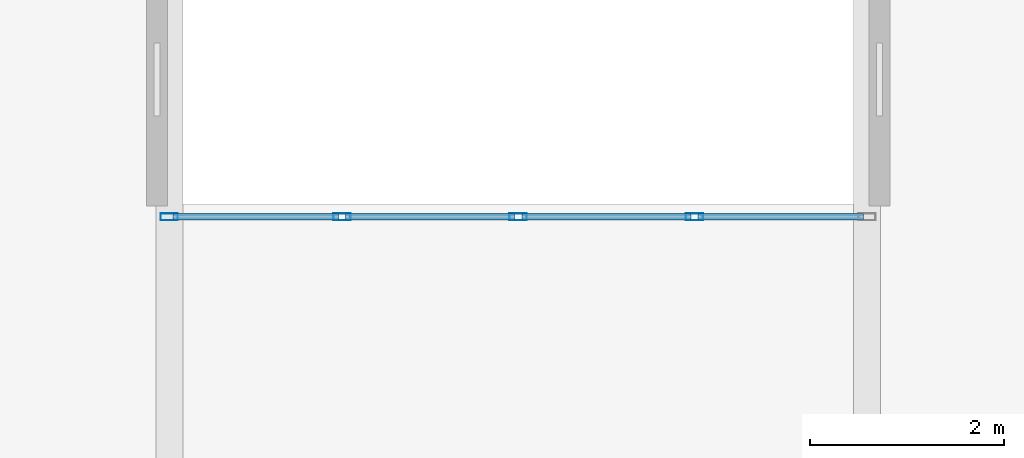
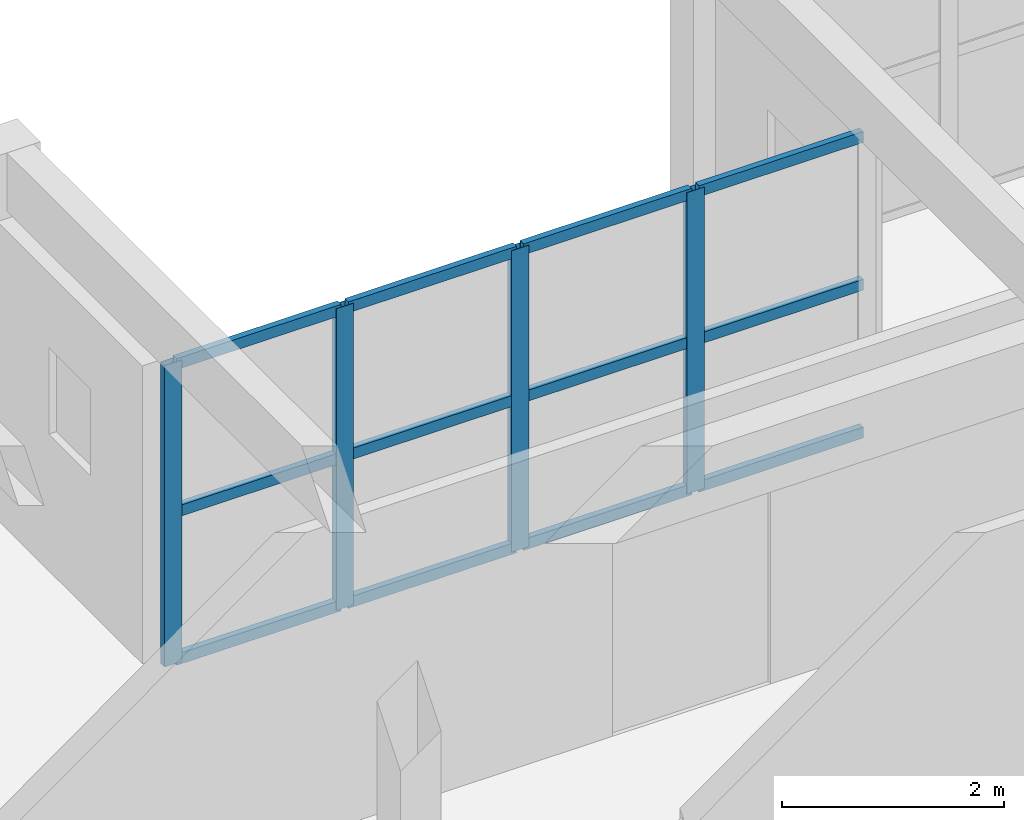
# One storey, part 28 of 68: 16 members, 1 element without a shape of its own.
"""IFC4 building model written with IfcOpenShell, lengths in metres."""

from ifc_helpers import new_model, si_unit, direction, frame, origin, origin_2d, place, context, subcontext, project, spatial, hollow_rectangle, extrude, material, material_profile, profile_set, type_object, element, aggregate, save


model = new_model("IFC4")

# Units and contexts
model_context = context("Model", 3, precision=1e-05, world=origin(), true_north=direction((0.0, 1.0)))
body_context = subcontext(model_context, "Body", "Model", "MODEL_VIEW")
ifc_project = project(units=[si_unit("LENGTHUNIT", "METRE"), si_unit("AREAUNIT", "SQUARE_METRE"), si_unit("VOLUMEUNIT", "CUBIC_METRE"), si_unit("PLANEANGLEUNIT", "RADIAN"), si_unit("MASSUNIT", "GRAM", prefix="KILO")], contexts=[model_context])

# Site, building, storey
site_placement = place(None, origin())
site = spatial("IfcSite", under=ifc_project, at=site_placement, CompositionType="ELEMENT")
building_placement = place(site_placement, origin())
building = spatial("IfcBuilding", under=site, at=building_placement, Name="Bramvelor Terrace Health Centre", CompositionType="ELEMENT")
storey_placement = place(building_placement, frame((0.0, 0.0, 9.300048828125)))
storey = spatial("IfcBuildingStorey", under=building, at=storey_placement, Name="L03", CompositionType="ELEMENT", Elevation=9.300048828125)

# Curtain wall, members
ifc_material_1 = material(Name="Anodized aluminium and double low-E glass", Category="aluminium")
curtain_wall_type = type_object("IfcCurtainWallType", Name="CW-SYS-01", PredefinedType="NOTDEFINED", material=ifc_material_1)
curtain_wall_placement = place(storey_placement, origin())
curtain_wall = element("IfcCurtainWall", 1, at=curtain_wall_placement, inside=storey, type_object=curtain_wall_type, Name="L03 Unitized Curtain Wall 175", PredefinedType="NOTDEFINED")
ifc_material_2 = material(Name="Anodized aluminium 6063-T6", Category="aluminium")
ifc_material_profile_1 = material_profile(ifc_material_2, hollow_rectangle(XDim=0.074951171875, YDim=0.179931640625, WallThickness=0.00341796875, at=origin_2d()), Name="ALU-MUL 75x180x3.5")
ifc_profile_set_1 = profile_set([ifc_material_profile_1], Name="Anodized aluminium 6063-T6")
member_type_1 = type_object("IfcMemberType", Name="CW-MUL-65x180", PredefinedType="MULLION", material=ifc_profile_set_1)
member_1_placement = place(storey_placement, frame((57.597412109375, 97.8701171875, 0.0), z_axis=(0.0, 0.0, 1.0), x_axis=(0.0, 1.0, 0.0)))
member_1 = element("IfcMember", 2, at=member_1_placement, type_object=member_type_1, Name="CW-01 mullion 1", PredefinedType="MULLION", context=body_context, shape_type="SweptSolid", body=[
    extrude(hollow_rectangle(XDim=0.074951171875, YDim=0.179931640625, WallThickness=0.00341796875, at=origin_2d()), origin(), (0.0, 0.0, 1.0), 3.31005859375),
])
member_2_placement = place(storey_placement, frame((59.3798828125, 97.8701171875, 0.0), z_axis=(0.0, 0.0, 1.0), x_axis=(0.0, 1.0, 0.0)))
member_2 = element("IfcMember", 3, at=member_2_placement, type_object=member_type_1, Name="CW-01 mullion 2", PredefinedType="MULLION", context=body_context, shape_type="SweptSolid", body=[
    extrude(hollow_rectangle(XDim=0.074951171875, YDim=0.179931640625, WallThickness=0.00341796875, at=origin_2d()), origin(), (0.0, 0.0, 1.0), 3.31005859375),
])
member_3_placement = place(storey_placement, frame((61.199951171875, 97.8701171875, 0.0), z_axis=(0.0, 0.0, 1.0), x_axis=(0.0, 1.0, 0.0)))
member_3 = element("IfcMember", 4, at=member_3_placement, type_object=member_type_1, Name="CW-01 mullion 3", PredefinedType="MULLION", context=body_context, shape_type="SweptSolid", body=[
    extrude(hollow_rectangle(XDim=0.074951171875, YDim=0.179931640625, WallThickness=0.00341796875, at=origin_2d()), origin(), (0.0, 0.0, 1.0), 3.31005859375),
])
member_4_placement = place(storey_placement, frame((63.02001953125, 97.8701171875, 0.0), z_axis=(0.0, 0.0, 1.0), x_axis=(0.0, 1.0, 0.0)))
member_4 = element("IfcMember", 5, at=member_4_placement, type_object=member_type_1, Name="CW-01 mullion 4", PredefinedType="MULLION", context=body_context, shape_type="SweptSolid", body=[
    extrude(hollow_rectangle(XDim=0.074951171875, YDim=0.179931640625, WallThickness=0.00341796875, at=origin_2d()), origin(), (0.0, 0.0, 1.0), 3.31005859375),
])
ifc_material_3 = material(Name="Anodized aluminium 6063-T6", Category="aluminium")
ifc_material_profile_2 = material_profile(ifc_material_3, hollow_rectangle(XDim=0.06494140625, YDim=0.1201171875, WallThickness=0.0029296875, at=origin_2d()), Name="ALU-TRN 65x120x3.0")
ifc_profile_set_2 = profile_set([ifc_material_profile_2], Name="Anodized aluminium 6063-T6")
member_type_2 = type_object("IfcMemberType", Name="CW-TRN-65x150", PredefinedType="USERDEFINED", material=ifc_profile_set_2)
member_5_placement = place(storey_placement, frame((57.635009765625, 97.8701171875, 0.032470703125), z_axis=(1.0, 0.0, 0.0), x_axis=(0.0, 1.0, 0.0)))
member_5 = element("IfcMember", 6, at=member_5_placement, type_object=member_type_2, Name="CW-01 transom 1.1", ObjectType="TRANSOM", PredefinedType="USERDEFINED", context=body_context, shape_type="SweptSolid", body=[
    extrude(hollow_rectangle(XDim=0.06494140625, YDim=0.1201171875, WallThickness=0.0029296875, at=origin_2d()), origin(), (0.0, 0.0, 1.0), 1.70751953125),
])
member_6_placement = place(storey_placement, frame((57.635009765625, 97.8701171875, 1.655029296875), z_axis=(1.0, 0.0, 0.0), x_axis=(0.0, 1.0, 0.0)))
member_6 = element("IfcMember", 7, at=member_6_placement, type_object=member_type_2, Name="CW-01 transom 1.2", ObjectType="TRANSOM", PredefinedType="USERDEFINED", context=body_context, shape_type="SweptSolid", body=[
    extrude(hollow_rectangle(XDim=0.06494140625, YDim=0.1201171875, WallThickness=0.0029296875, at=origin_2d()), origin(), (0.0, 0.0, 1.0), 1.70751953125),
])
member_7_placement = place(storey_placement, frame((57.635009765625, 97.8701171875, 3.27734375), z_axis=(1.0, 0.0, 0.0), x_axis=(0.0, 1.0, 0.0)))
member_7 = element("IfcMember", 8, at=member_7_placement, type_object=member_type_2, Name="CW-01 transom 1.3", ObjectType="TRANSOM", PredefinedType="USERDEFINED", context=body_context, shape_type="SweptSolid", body=[
    extrude(hollow_rectangle(XDim=0.06494140625, YDim=0.1201171875, WallThickness=0.0029296875, at=origin_2d()), origin(), (0.0, 0.0, 1.0), 1.70751953125),
])
member_8_placement = place(storey_placement, frame((59.41748046875, 97.8701171875, 0.032470703125), z_axis=(1.0, 0.0, 0.0), x_axis=(0.0, 1.0, 0.0)))
member_8 = element("IfcMember", 9, at=member_8_placement, type_object=member_type_2, Name="CW-01 transom 2.1", ObjectType="TRANSOM", PredefinedType="USERDEFINED", context=body_context, shape_type="SweptSolid", body=[
    extrude(hollow_rectangle(XDim=0.06494140625, YDim=0.1201171875, WallThickness=0.0029296875, at=origin_2d()), origin(), (0.0, 0.0, 1.0), 1.7451171875),
])
member_9_placement = place(storey_placement, frame((59.41748046875, 97.8701171875, 1.655029296875), z_axis=(1.0, 0.0, 0.0), x_axis=(0.0, 1.0, 0.0)))
member_9 = element("IfcMember", 10, at=member_9_placement, type_object=member_type_2, Name="CW-01 transom 2.2", ObjectType="TRANSOM", PredefinedType="USERDEFINED", context=body_context, shape_type="SweptSolid", body=[
    extrude(hollow_rectangle(XDim=0.06494140625, YDim=0.1201171875, WallThickness=0.0029296875, at=origin_2d()), origin(), (0.0, 0.0, 1.0), 1.7451171875),
])
member_10_placement = place(storey_placement, frame((59.41748046875, 97.8701171875, 3.27734375), z_axis=(1.0, 0.0, 0.0), x_axis=(0.0, 1.0, 0.0)))
member_10 = element("IfcMember", 11, at=member_10_placement, type_object=member_type_2, Name="CW-01 transom 2.3", ObjectType="TRANSOM", PredefinedType="USERDEFINED", context=body_context, shape_type="SweptSolid", body=[
    extrude(hollow_rectangle(XDim=0.06494140625, YDim=0.1201171875, WallThickness=0.0029296875, at=origin_2d()), origin(), (0.0, 0.0, 1.0), 1.7451171875),
])
member_11_placement = place(storey_placement, frame((61.237548828125, 97.8701171875, 0.032470703125), z_axis=(1.0, 0.0, 0.0), x_axis=(0.0, 1.0, 0.0)))
member_11 = element("IfcMember", 12, at=member_11_placement, type_object=member_type_2, Name="CW-01 transom 3.1", ObjectType="TRANSOM", PredefinedType="USERDEFINED", context=body_context, shape_type="SweptSolid", body=[
    extrude(hollow_rectangle(XDim=0.06494140625, YDim=0.1201171875, WallThickness=0.0029296875, at=origin_2d()), origin(), (0.0, 0.0, 1.0), 1.744873046875),
])
member_12_placement = place(storey_placement, frame((61.237548828125, 97.8701171875, 1.655029296875), z_axis=(1.0, 0.0, 0.0), x_axis=(0.0, 1.0, 0.0)))
member_12 = element("IfcMember", 13, at=member_12_placement, type_object=member_type_2, Name="CW-01 transom 3.2", ObjectType="TRANSOM", PredefinedType="USERDEFINED", context=body_context, shape_type="SweptSolid", body=[
    extrude(hollow_rectangle(XDim=0.06494140625, YDim=0.1201171875, WallThickness=0.0029296875, at=origin_2d()), origin(), (0.0, 0.0, 1.0), 1.744873046875),
])
member_13_placement = place(storey_placement, frame((61.237548828125, 97.8701171875, 3.27734375), z_axis=(1.0, 0.0, 0.0), x_axis=(0.0, 1.0, 0.0)))
member_13 = element("IfcMember", 14, at=member_13_placement, type_object=member_type_2, Name="CW-01 transom 3.3", ObjectType="TRANSOM", PredefinedType="USERDEFINED", context=body_context, shape_type="SweptSolid", body=[
    extrude(hollow_rectangle(XDim=0.06494140625, YDim=0.1201171875, WallThickness=0.0029296875, at=origin_2d()), origin(), (0.0, 0.0, 1.0), 1.744873046875),
])
member_14_placement = place(storey_placement, frame((63.0576171875, 97.8701171875, 0.032470703125), z_axis=(1.0, 0.0, 0.0), x_axis=(0.0, 1.0, 0.0)))
member_14 = element("IfcMember", 15, at=member_14_placement, type_object=member_type_2, Name="CW-01 transom 4.1", ObjectType="TRANSOM", PredefinedType="USERDEFINED", context=body_context, shape_type="SweptSolid", body=[
    extrude(hollow_rectangle(XDim=0.06494140625, YDim=0.1201171875, WallThickness=0.0029296875, at=origin_2d()), origin(), (0.0, 0.0, 1.0), 1.707275390625),
])
member_15_placement = place(storey_placement, frame((63.0576171875, 97.8701171875, 1.655029296875), z_axis=(1.0, 0.0, 0.0), x_axis=(0.0, 1.0, 0.0)))
member_15 = element("IfcMember", 16, at=member_15_placement, type_object=member_type_2, Name="CW-01 transom 4.2", ObjectType="TRANSOM", PredefinedType="USERDEFINED", context=body_context, shape_type="SweptSolid", body=[
    extrude(hollow_rectangle(XDim=0.06494140625, YDim=0.1201171875, WallThickness=0.0029296875, at=origin_2d()), origin(), (0.0, 0.0, 1.0), 1.707275390625),
])
member_16_placement = place(storey_placement, frame((63.0576171875, 97.8701171875, 3.27734375), z_axis=(1.0, 0.0, 0.0), x_axis=(0.0, 1.0, 0.0)))
member_16 = element("IfcMember", 17, at=member_16_placement, type_object=member_type_2, Name="CW-01 transom 4.3", ObjectType="TRANSOM", PredefinedType="USERDEFINED", context=body_context, shape_type="SweptSolid", body=[
    extrude(hollow_rectangle(XDim=0.06494140625, YDim=0.1201171875, WallThickness=0.0029296875, at=origin_2d()), origin(), (0.0, 0.0, 1.0), 1.707275390625),
])
aggregate(curtain_wall, [member_1, member_2, member_3, member_4, member_5, member_6, member_7, member_8, member_9, member_10, member_11, member_12, member_13, member_14, member_15, member_16])

save(model, "model.ifc")
